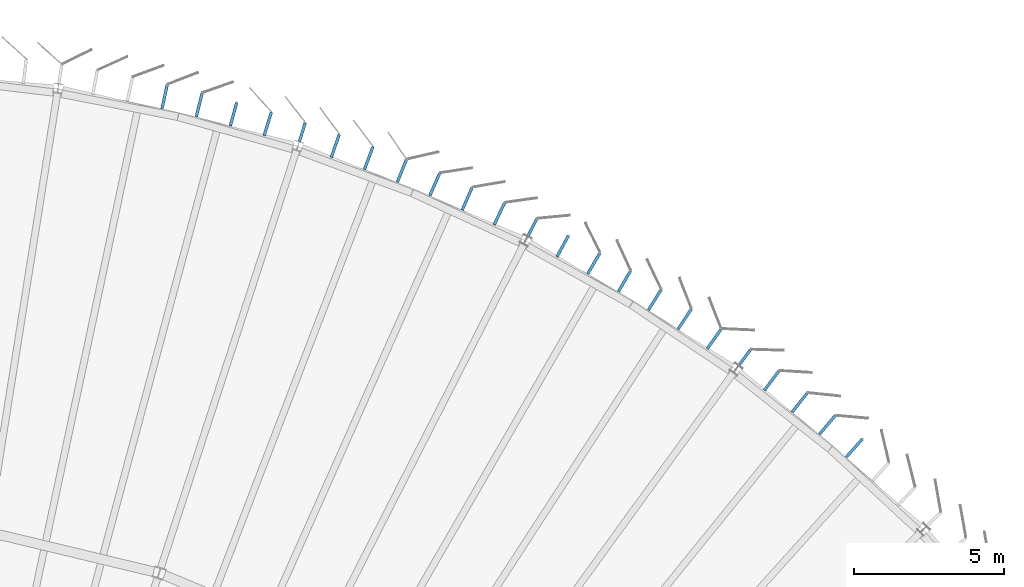
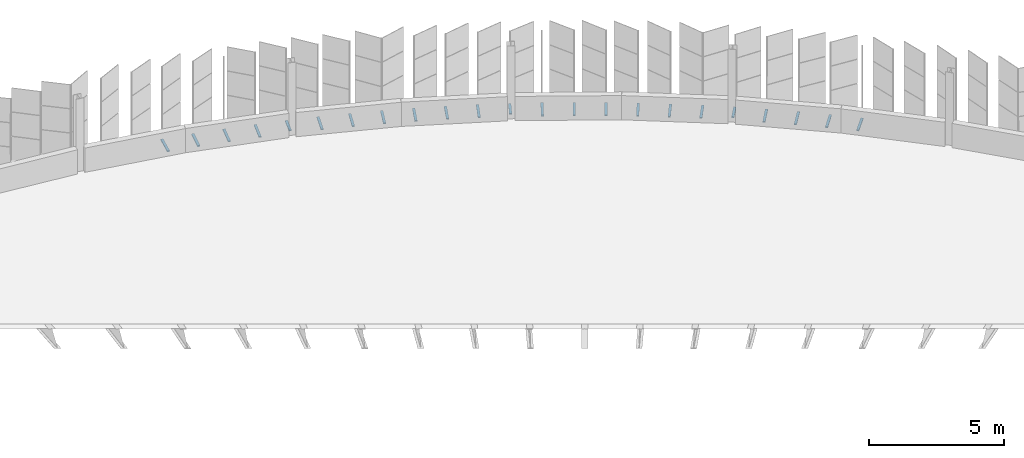
# One storey, part 193 of 214: 23 discrete accessories.
"""IFC4 building model written with IfcOpenShell, lengths in metres."""

from ifc_helpers import new_model, si_unit, direction, frame, origin, origin_2d, place, context, subcontext, project, spatial, rectangle, extrude, material, type_object, element, save


model = new_model("IFC4")

# Units and contexts
model_context = context("Model", 3, precision=1e-05, world=origin(), true_north=direction((0.0, 1.0)))
body_context = subcontext(model_context, "Body", "Model", "MODEL_VIEW")
ifc_project = project(units=[si_unit("LENGTHUNIT", "METRE"), si_unit("AREAUNIT", "SQUARE_METRE"), si_unit("VOLUMEUNIT", "CUBIC_METRE"), si_unit("PLANEANGLEUNIT", "RADIAN"), si_unit("MASSUNIT", "GRAM", prefix="KILO")], contexts=[model_context])

# Site, building, storey
site_placement = place(None, origin())
site = spatial("IfcSite", under=ifc_project, at=site_placement, CompositionType="ELEMENT")
building_placement = place(site_placement, origin())
building = spatial("IfcBuilding", under=site, at=building_placement, Name="Parallax Yard Mobility Hub", CompositionType="ELEMENT")
storey_placement = place(building_placement, frame((0.0, 0.0, 3.300048828125)))
storey = spatial("IfcBuildingStorey", under=building, at=storey_placement, Name="L01", CompositionType="ELEMENT", Elevation=3.300048828125)

# Discrete accessories
ifc_material = material(Name="Steel ASTM A36, hot-dip galvanised", Category="steel")
discrete_accessory_type = type_object("IfcDiscreteAccessoryType", Name="Hinge bracket plate 100x50", PredefinedType="BRACKET", material=ifc_material)
for number, where, z_axis, x_axis, name in (
    (1, (207.30615234375, 129.83740234375, -0.02490234375), (0.0, 0.0, 1.0), (0.66558603347, 0.746321131986, 0.0), "Hinge bracket plate bay 46.4 level L01"),
    (2, (206.401611328125, 130.607177734375, -0.02490234375), (0.0, 0.0, 1.0), (0.644002133025, 0.765023694181, 0.0), "Hinge bracket plate bay 46.5 level L01"),
    (3, (205.4814453125, 131.357666015625, -0.02490234375), (0.0, 0.0, 1.0), (0.62189295186, 0.783102264348, 0.0), "Hinge bracket plate bay 46.6 level L01"),
    (4, (204.545654296875, 132.0888671875, -0.02490234375), (0.0, 0.0, 1.0), (0.599277920549, 0.800541050754, 0.0), "Hinge bracket plate bay 46.7 level L01"),
):
    element("IfcDiscreteAccessory", number, at=place(storey_placement, frame(where, z_axis=z_axis, x_axis=x_axis)), inside=storey, type_object=discrete_accessory_type, Name=name, PredefinedType="BRACKET", context=body_context, shape_type="SweptSolid", body=[
        extrude(rectangle(XDim=0.80810546875, YDim=0.10009765625, at=origin_2d()), origin(), (0.0, 0.0, 1.0), 0.050048828125),
    ])
discrete_accessory_1_placement = place(storey_placement, frame((203.64453125, 132.8623046875, -0.02490234375), z_axis=(0.0, 0.0, 1.0), x_axis=(0.599277920549, 0.800541050754, 0.0)))
element("IfcDiscreteAccessory", 5, at=discrete_accessory_1_placement, inside=storey, type_object=discrete_accessory_type, Name="Hinge bracket plate bay 47.1 level L01", PredefinedType="BRACKET", context=body_context, shape_type="SweptSolid", body=[
    extrude(rectangle(XDim=0.64990234375, YDim=0.10009765625, at=origin_2d()), origin(), (0.0, 0.0, 1.0), 0.050048828125),
])
for number, where, z_axis, x_axis, name in (
    (6, (202.62646484375, 133.4833984375, -0.02490234375), (0.0, 0.0, 1.0), (0.576172721078, 0.817327960788, 0.0), "Hinge bracket plate bay 47.2 level L01"),
    (7, (201.6416015625, 134.1474609375, -0.02490234375), (0.0, 0.0, 1.0), (0.552599020627, 0.833447252321, 0.0), "Hinge bracket plate bay 47.3 level L01"),
    (8, (200.643310546875, 134.790771484375, -0.02490234375), (0.0, 0.0, 1.0), (0.528573165953, 0.848887747723, 0.0), "Hinge bracket plate bay 47.4 level L01"),
    (9, (199.631591796875, 135.413330078125, -0.02490234375), (0.0, 0.0, 1.0), (0.504116180263, 0.863635847332, 0.0), "Hinge bracket plate bay 47.5 level L01"),
    (10, (198.6083984375, 136.0107421875, -0.02490234375), (0.0, 0.0, 1.0), (0.504116180263, 0.863635847332, 0.0), "Hinge bracket plate bay 47.6 level L01"),
    (11, (197.5673828125, 136.58251953125, -0.02490234375), (0.0, 0.0, 1.0), (0.479249543752, 0.877678685404, 0.0), "Hinge bracket plate bay 47.7 level L01"),
):
    element("IfcDiscreteAccessory", number, at=place(storey_placement, frame(where, z_axis=z_axis, x_axis=x_axis)), inside=storey, type_object=discrete_accessory_type, Name=name, PredefinedType="BRACKET", context=body_context, shape_type="SweptSolid", body=[
        extrude(rectangle(XDim=0.80810546875, YDim=0.10009765625, at=origin_2d()), origin(), (0.0, 0.0, 1.0), 0.050048828125),
    ])
discrete_accessory_2_placement = place(storey_placement, frame((196.55029296875, 137.202392578125, -0.02490234375), z_axis=(0.0, 0.0, 1.0), x_axis=(0.45399049974, 0.891006524188, 0.0)))
element("IfcDiscreteAccessory", 12, at=discrete_accessory_2_placement, inside=storey, type_object=discrete_accessory_type, Name="Hinge bracket plate bay 48.1 level L01", PredefinedType="BRACKET", context=body_context, shape_type="SweptSolid", body=[
    extrude(rectangle(XDim=0.652099609375, YDim=0.10009765625, at=origin_2d()), origin(), (0.0, 0.0, 1.0), 0.050048828125),
])
for number, where, z_axis, x_axis, name in (
    (13, (195.451171875, 137.660888671875, -0.02490234375), (0.0, 0.0, 1.0), (0.428361158107, 0.903607612974, 0.0), "Hinge bracket plate bay 48.2 level L01"),
    (14, (194.376708984375, 138.166748046875, -0.02490234375), (0.0, 0.0, 1.0), (0.402384021242, 0.915470971385, 0.0), "Hinge bracket plate bay 48.3 level L01"),
    (15, (193.2919921875, 138.6435546875, -0.02490234375), (0.0, 0.0, 1.0), (0.402384021242, 0.915470971385, 0.0), "Hinge bracket plate bay 48.4 level L01"),
    (16, (192.194091796875, 139.095947265625, -0.02490234375), (0.0, 0.0, 1.0), (0.37607710252, 0.92658837299, 0.0), "Hinge bracket plate bay 48.5 level L01"),
    (17, (191.086669921875, 139.525390625, -0.02490234375), (0.0, 0.0, 1.0), (0.349463436287, 0.93695000224, 0.0), "Hinge bracket plate bay 48.6 level L01"),
    (18, (189.970703125, 139.931640625, -0.02490234375), (0.0, 0.0, 1.0), (0.322566382032, 0.946546844685, 0.0), "Hinge bracket plate bay 48.7 level L01"),
):
    element("IfcDiscreteAccessory", number, at=place(storey_placement, frame(where, z_axis=z_axis, x_axis=x_axis)), inside=storey, type_object=discrete_accessory_type, Name=name, PredefinedType="BRACKET", context=body_context, shape_type="SweptSolid", body=[
        extrude(rectangle(XDim=0.80810546875, YDim=0.10009765625, at=origin_2d()), origin(), (0.0, 0.0, 1.0), 0.050048828125),
    ])
discrete_accessory_3_placement = place(storey_placement, frame((188.8701171875, 140.390380859375, -0.02490234375), z_axis=(0.0, 0.0, 1.0), x_axis=(0.295404591031, 0.955372245566, 0.0)))
element("IfcDiscreteAccessory", 19, at=discrete_accessory_3_placement, inside=storey, type_object=discrete_accessory_type, Name="Hinge bracket plate bay 49.1 level L01", PredefinedType="BRACKET", context=body_context, shape_type="SweptSolid", body=[
    extrude(rectangle(XDim=0.64990234375, YDim=0.10009765625, at=origin_2d()), origin(), (0.0, 0.0, 1.0), 0.050048828125),
])
for number, where, z_axis, x_axis, name in (
    (20, (187.714599609375, 140.664794921875, -0.02490234375), (0.0, 0.0, 1.0), (0.295404591031, 0.955372245566, 0.0), "Hinge bracket plate bay 49.2 level L01"),
    (21, (186.572998046875, 140.991943359375, -0.02490234375), (0.0, 0.0, 1.0), (0.268003534583, 0.963417928757, 0.0), "Hinge bracket plate bay 49.3 level L01"),
    (22, (185.425048828125, 141.29541015625, -0.02490234375), (0.0, 0.0, 1.0), (0.240382213455, 0.970678315125, 0.0), "Hinge bracket plate bay 49.4 level L01"),
    (23, (184.270751953125, 141.57470703125, -0.02490234375), (0.0, 0.0, 1.0), (0.212564824432, 0.977146967152, 0.0), "Hinge bracket plate bay 49.5 level L01"),
):
    element("IfcDiscreteAccessory", number, at=place(storey_placement, frame(where, z_axis=z_axis, x_axis=x_axis)), inside=storey, type_object=discrete_accessory_type, Name=name, PredefinedType="BRACKET", context=body_context, shape_type="SweptSolid", body=[
        extrude(rectangle(XDim=0.80810546875, YDim=0.10009765625, at=origin_2d()), origin(), (0.0, 0.0, 1.0), 0.050048828125),
    ])

save(model, "model.ifc")
